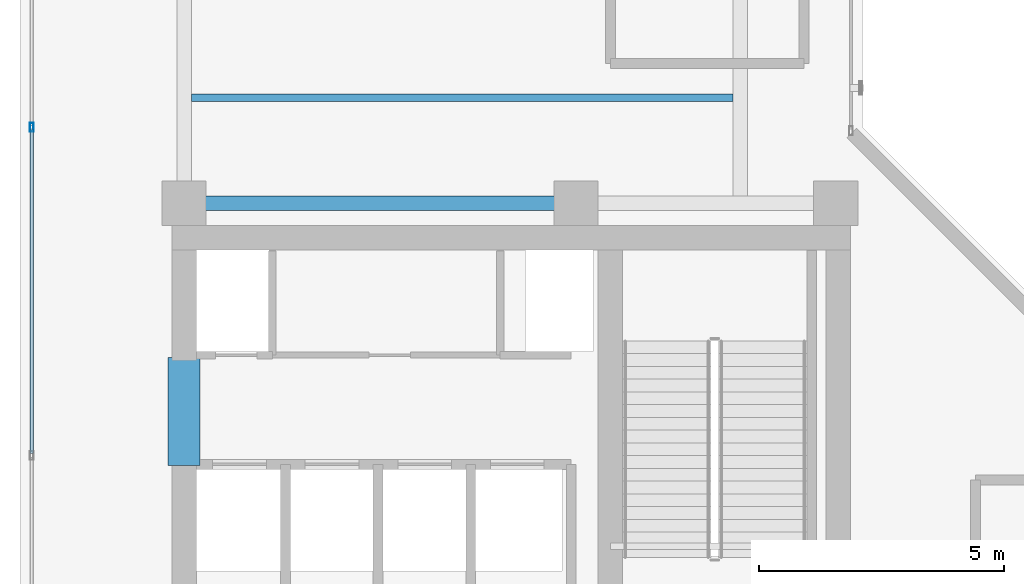
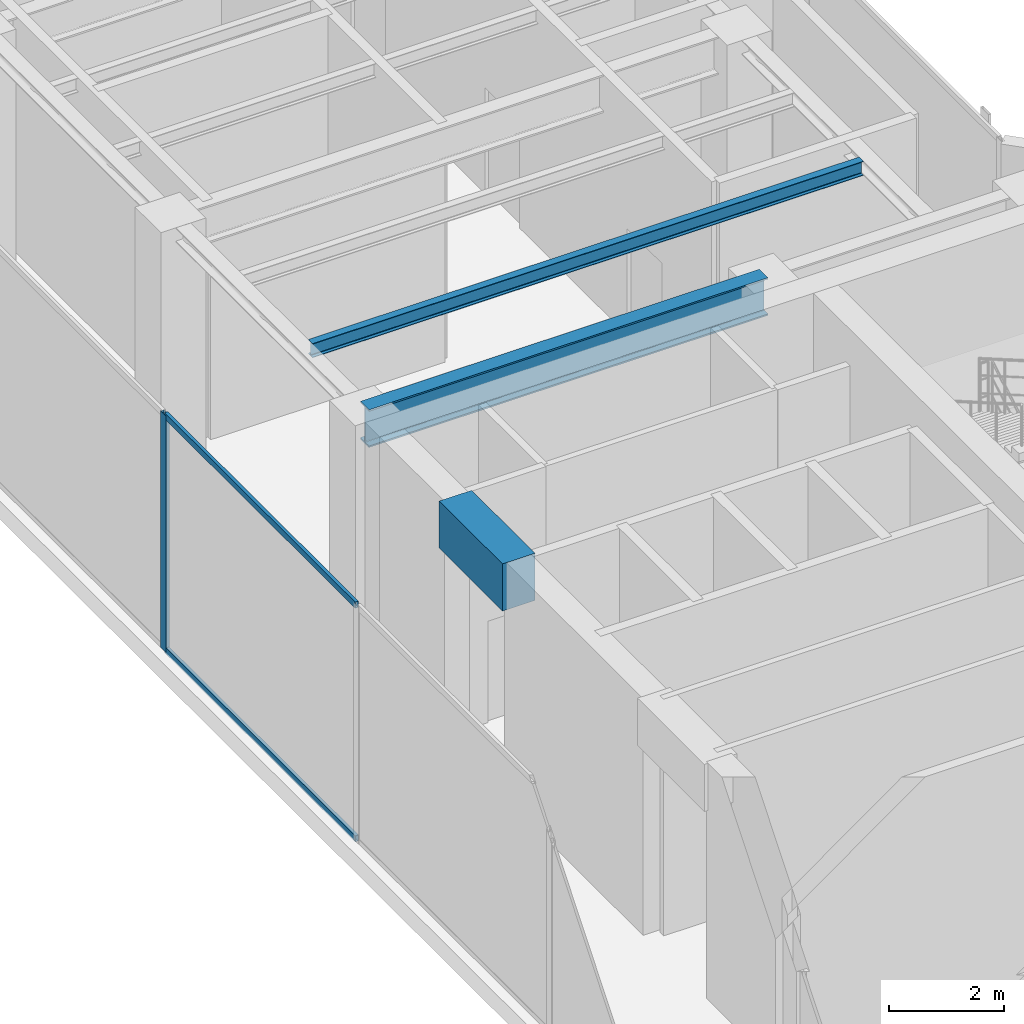
# One storey, part 10 of 29: 3 beams, 3 members, 1 element without a shape of its own.
"""IFC4 building model written with IfcOpenShell, lengths in metres."""

import ifcopenshell
import ifcopenshell.guid

model = None  # the IFC model being written
_history = None  # IfcOwnerHistory: only IFC2X3 demands one
_inside = {}  # id of a spatial element -> (the spatial element, [elements in it])
_under = {}  # id of a project, library or spatial element -> (it, [spatial elements below it])
_declared = {}  # id of a project -> (the project, [libraries it declares])
_typed = {}  # id of a type object -> (the type object, [elements of that type])
_made_of = {}  # id of a material, layer set ... -> (it, [elements and type objects made of it])


def new_model(schema):
    """Start an empty IFC model of exactly this schema.

    Asked for "IFC4X3", IfcOpenShell would pick the latest addendum, in which some entities
    have other attributes; the version numbers below select the first issue.
    IFC2X3 requires an IfcOwnerHistory on every rooted entity: one is made here for all.
    """
    global model, _history
    if schema == "IFC4X3":
        model = ifcopenshell.file(schema_version=(4, 3, 0, 0))
    else:
        model = ifcopenshell.file(schema=schema)
    _inside.clear()
    _under.clear()
    _declared.clear()
    _typed.clear()
    _made_of.clear()
    _history = None
    if model.schema == "IFC2X3":
        org = make("IfcOrganization", Name="unknown")
        user = make(
            "IfcPersonAndOrganization",
            ThePerson=make("IfcPerson", FamilyName="unknown"),
            TheOrganization=org,
        )
        app = make(
            "IfcApplication",
            ApplicationDeveloper=org,
            Version="unknown",
            ApplicationFullName="unknown",
            ApplicationIdentifier="unknown",
        )
        _history = make(
            "IfcOwnerHistory",
            OwningUser=user,
            OwningApplication=app,
            ChangeAction="ADDED",
            CreationDate=0,
        )
    return model


def make(cls, **values):
    """One entity of the class cls with the attributes given. An attribute that is None is left unset."""
    return model.create_entity(
        cls, **{name: value for name, value in values.items() if value is not None}
    )


def rooted(cls, **values):
    """An entity with a GlobalId (a new one), such as an element, a storey or a relation."""
    return make(cls, GlobalId=ifcopenshell.guid.new(), OwnerHistory=_history, **values)


def si_unit(unit_type, name, prefix=None):
    """IfcSIUnit, for example si_unit("LENGTHUNIT", "METRE", prefix="MILLI")."""
    return make("IfcSIUnit", UnitType=unit_type, Prefix=prefix, Name=name)


def assignment(units):
    """IfcUnitAssignment: the units of a project."""
    return None if units is None else make("IfcUnitAssignment", Units=units)


def point(xyz):
    """IfcCartesianPoint."""
    return None if xyz is None else make("IfcCartesianPoint", Coordinates=xyz)


def direction(xyz):
    """IfcDirection."""
    return None if xyz is None else make("IfcDirection", DirectionRatios=xyz)


def frame(location, z_axis=None, x_axis=None):
    """IfcAxis2Placement3D, a coordinate frame: its origin and axes. An axis left out is left unset."""
    return make(
        "IfcAxis2Placement3D",
        Location=point(location),
        Axis=direction(z_axis),
        RefDirection=direction(x_axis),
    )


def frame_2d(location, x_axis=None):
    """IfcAxis2Placement2D, a coordinate frame in the plane: its origin and x axis."""
    return make(
        "IfcAxis2Placement2D", Location=point(location), RefDirection=direction(x_axis)
    )


def origin():
    """The frame at (0, 0, 0) with its axes left unset."""
    return frame((0.0, 0.0, 0.0))


def origin_with_axes():
    """The frame at (0, 0, 0) with the z axis (0, 0, 1) and the x axis (1, 0, 0) written out."""
    return frame((0.0, 0.0, 0.0), z_axis=(0.0, 0.0, 1.0), x_axis=(1.0, 0.0, 0.0))


def origin_2d():
    """The frame at (0, 0) in the plane with its x axis left unset."""
    return frame_2d((0.0, 0.0))


def place(relative_to, where):
    """IfcLocalPlacement: puts the frame where relative to a parent placement (None: the world)."""
    return make(
        "IfcLocalPlacement", PlacementRelTo=relative_to, RelativePlacement=where
    )


def context(
    kind, dimensions, precision=None, world=None, true_north=None, identifier=None
):
    """IfcGeometricRepresentationContext, for example the 3D "Model" context."""
    return make(
        "IfcGeometricRepresentationContext",
        ContextIdentifier=identifier,
        ContextType=kind,
        CoordinateSpaceDimension=dimensions,
        Precision=precision,
        WorldCoordinateSystem=world,
        TrueNorth=true_north,
    )


def subcontext(parent, identifier, kind, view, scale=None):
    """IfcGeometricRepresentationSubContext, for example "Body" below "Model"."""
    return make(
        "IfcGeometricRepresentationSubContext",
        ContextIdentifier=identifier,
        ContextType=kind,
        ParentContext=parent,
        TargetScale=scale,
        TargetView=view,
    )


def project(units=None, contexts=None):
    """IfcProject with its units and contexts."""
    return rooted(
        "IfcProject",
        Name="project",
        RepresentationContexts=contexts,
        UnitsInContext=assignment(units),
    )


def spatial(cls, under=None, at=None, **own):
    """A site, building, storey or space (cls), placed at a placement, below another one or the project."""
    s = rooted(cls, ObjectPlacement=at, **own)
    if under is not None:
        _under.setdefault(under.id(), (under, []))[1].append(s)
    return s


def profile(cls, at=None, kind="AREA", **sizes):
    """A parametric profile (cls). Its sizes go by their IFC names, for example OverallWidth=200.0."""
    return make(cls, ProfileType=kind, Position=at, **sizes)


def rectangle(**sizes):
    """IfcRectangleProfileDef."""
    return profile("IfcRectangleProfileDef", **sizes)


def hollow_rectangle(**sizes):
    """IfcRectangleHollowProfileDef."""
    return profile("IfcRectangleHollowProfileDef", **sizes)


def i_section(**sizes):
    """IfcIShapeProfileDef."""
    return profile("IfcIShapeProfileDef", **sizes)


def extrude(swept, where, along, depth):
    """IfcExtrudedAreaSolid: the profile swept, set in the frame where, extruded along a direction by depth."""
    return make(
        "IfcExtrudedAreaSolid",
        SweptArea=swept,
        Position=where,
        ExtrudedDirection=direction(along),
        Depth=depth,
    )


def shape(context_of_items, identifier, shape_type, items):
    """IfcShapeRepresentation: the items that make up one representation, for example the "Body"."""
    return make(
        "IfcShapeRepresentation",
        ContextOfItems=context_of_items,
        RepresentationIdentifier=identifier,
        RepresentationType=shape_type,
        Items=items,
    )


def source(mapping_origin, context_of_items, identifier, shape_type, items):
    """IfcRepresentationMap: a shape defined once, which mapped items show again and again."""
    return make(
        "IfcRepresentationMap",
        MappingOrigin=mapping_origin,
        MappedRepresentation=shape(context_of_items, identifier, shape_type, items),
    )


def transform(
    local_origin,
    x_axis=None,
    y_axis=None,
    z_axis=None,
    scale=None,
    scale2=None,
    scale3=None,
    uniform=True,
):
    """IfcCartesianTransformationOperator3D, or its non-uniform kind. x_axis, y_axis, z_axis: its Axis1, 2, 3."""
    if uniform:
        return make(
            "IfcCartesianTransformationOperator3D",
            Axis1=direction(x_axis),
            Axis2=direction(y_axis),
            LocalOrigin=point(local_origin),
            Scale=scale,
            Axis3=direction(z_axis),
        )
    return make(
        "IfcCartesianTransformationOperator3DnonUniform",
        Axis1=direction(x_axis),
        Axis2=direction(y_axis),
        LocalOrigin=point(local_origin),
        Scale=scale,
        Axis3=direction(z_axis),
        Scale2=scale2,
        Scale3=scale3,
    )


def mapped(mapping_source, mapping_target):
    """IfcMappedItem: shows the shape of a source again, moved by a transform."""
    return make(
        "IfcMappedItem", MappingSource=mapping_source, MappingTarget=mapping_target
    )


def material(Name=None, Category=None):
    """IfcMaterial."""
    return make("IfcMaterial", Name=Name, Category=Category)


def layer(
    of_material, thickness, ventilated=None, Name=None, Category=None, Priority=None
):
    """IfcMaterialLayer: one layer of a wall or slab, of a material (None: an air gap)."""
    return make(
        "IfcMaterialLayer",
        Material=of_material,
        LayerThickness=thickness,
        IsVentilated=ventilated,
        Name=Name,
        Category=Category,
        Priority=Priority,
    )


def layer_set(layers, Name=None):
    """IfcMaterialLayerSet."""
    return make("IfcMaterialLayerSet", MaterialLayers=layers, LayerSetName=Name)


def material_profile(
    of_material, cross_section, Name=None, Category=None, Priority=None
):
    """IfcMaterialProfile: a cross section and its material."""
    return make(
        "IfcMaterialProfile",
        Name=Name,
        Material=of_material,
        Profile=cross_section,
        Priority=Priority,
        Category=Category,
    )


def profile_set(profiles, Name=None, composite=None):
    """IfcMaterialProfileSet."""
    return make(
        "IfcMaterialProfileSet",
        Name=Name,
        MaterialProfiles=profiles,
        CompositeProfile=composite,
    )


def made_of(thing, what):
    """Note that an element or type object is made of a material, layer set ...; save() writes the relation."""
    if what is not None:
        _made_of.setdefault(what.id(), (what, []))[1].append(thing)
    return thing


def type_object(cls, material=None, **own):
    """A type object (cls), such as IfcWallType, which elements share."""
    return made_of(rooted(cls, **own), material)


def element(
    cls,
    number,
    at=None,
    inside=None,
    cuts=None,
    type_object=None,
    material=None,
    context=None,
    identifier="Body",
    shape_type=None,
    held_by="IfcProductDefinitionShape",
    body=None,
    shapes=None,
    **own,
):
    """One element of the class cls, such as IfcWall. Its Tag is "e" and its number.

    at: its placement. inside: the storey or other place that contains it. cuts: it is an
    opening in that element (IfcRelVoidsElement). A single representation is given by context,
    identifier, shape_type and body (its items); several are given by shapes. held_by: the class
    of the entity that holds the representations. save() writes the other relations.
    """
    e = rooted(cls, Tag="e%d" % number, ObjectPlacement=at, **own)
    if body is not None:
        shapes = [shape(context, identifier, shape_type, body)]
    if shapes is not None:
        e.Representation = make(held_by, Representations=shapes)
    if inside is not None:
        _inside.setdefault(inside.id(), (inside, []))[1].append(e)
    if cuts is not None:
        rooted(
            "IfcRelVoidsElement", RelatingBuildingElement=cuts, RelatedOpeningElement=e
        )
    if type_object is not None:
        _typed.setdefault(type_object.id(), (type_object, []))[1].append(e)
    return made_of(e, material)


def aggregate(whole, parts):
    """IfcRelAggregates: a whole, such as a stair, and the parts it consists of."""
    return rooted("IfcRelAggregates", RelatingObject=whole, RelatedObjects=parts)


def save(model, path):
    """Write the relations noted so far, then the file.

    IfcRelAggregates (storeys below a building ...), IfcRelContainedInSpatialStructure (elements
    in a storey), IfcRelDefinesByType, IfcRelAssociatesMaterial and IfcRelDeclares: one each for
    every whole, place, type object, material and project.
    """
    for whole, parts in _under.values():
        aggregate(whole, parts)
    for where, things in _inside.values():
        rooted(
            "IfcRelContainedInSpatialStructure",
            RelatedElements=things,
            RelatingStructure=where,
        )
    for kind, things in _typed.values():
        rooted("IfcRelDefinesByType", RelatedObjects=things, RelatingType=kind)
    for what, things in _made_of.values():
        rooted("IfcRelAssociatesMaterial", RelatedObjects=things, RelatingMaterial=what)
    for by, libraries in _declared.values():
        rooted("IfcRelDeclares", RelatingContext=by, RelatedDefinitions=libraries)
    model.write(path)


model = new_model("IFC4")

# Units and contexts
model_context = context("Model", 3, precision=1e-05, world=origin(), true_north=direction((0.0, 1.0)))
body_context = subcontext(model_context, "Body", "Model", "MODEL_VIEW")
ifc_project = project(units=[si_unit("LENGTHUNIT", "METRE"), si_unit("AREAUNIT", "SQUARE_METRE"), si_unit("VOLUMEUNIT", "CUBIC_METRE"), si_unit("PLANEANGLEUNIT", "RADIAN"), si_unit("MASSUNIT", "GRAM", prefix="KILO")], contexts=[model_context])

# Site, building, storey
site_placement = place(None, origin())
site = spatial("IfcSite", under=ifc_project, at=site_placement, CompositionType="ELEMENT")
building_placement = place(site_placement, origin())
building = spatial("IfcBuilding", under=site, at=building_placement, Name="Kolvaren Waterfront Exchange", CompositionType="ELEMENT")
storey_placement = place(building_placement, frame((0.0, 0.0, 338.800048828125)))
storey = spatial("IfcBuildingStorey", under=building, at=storey_placement, Name="L87", CompositionType="ELEMENT", Elevation=338.800048828125)

# Beams
ifc_material_1 = material(Name="Steel S355", Category="steel")
ifc_material_profile_1 = material_profile(ifc_material_1, i_section(OverallWidth=0.300048828125, OverallDepth=0.800048828125, WebThickness=0.017578125, FlangeThickness=0.032958984375, FilletRadius=0.030029296875, at=origin_2d()), Name="HEB800")
ifc_profile_set_1 = profile_set([ifc_material_profile_1], Name="Steel S355")
beam_type_1 = type_object("IfcBeamType", Name="STR-BM-HEB800", PredefinedType="BEAM", material=ifc_profile_set_1)
beam_1_placement = place(storey_placement, frame((7.449951171875, 24.449951171875, 4.619873046875), z_axis=(1.0, 0.0, 0.0), x_axis=(0.0, 1.0, 0.0)))
element("IfcBeam", 1, at=beam_1_placement, inside=storey, type_object=beam_type_1, Name="L87 north-arm girder 1A", PredefinedType="BEAM", context=body_context, shape_type="SweptSolid", body=[
    extrude(i_section(OverallWidth=0.300048828125, OverallDepth=0.800048828125, WebThickness=0.017578125, FlangeThickness=0.032958984375, FilletRadius=0.030029296875, at=origin_2d()), origin(), (0.0, 0.0, 1.0), 8.0),
])
ifc_material_profile_2 = material_profile(ifc_material_1, i_section(OverallWidth=0.14990234375, OverallDepth=0.300048828125, WebThickness=0.007080078125, FlangeThickness=0.0107421875, FilletRadius=0.014892578125, at=origin_2d()), Name="IPE300")
ifc_profile_set_2 = profile_set([ifc_material_profile_2], Name="Steel S355")
beam_type_2 = type_object("IfcBeamType", Name="STR-BM-IPE300", PredefinedType="JOIST", material=ifc_profile_set_2)
beam_2_placement = place(storey_placement, frame((7.60205078125, 26.60009765625, 4.869873046875), z_axis=(1.0, 0.0, 0.0), x_axis=(0.0, 1.0, 0.0)))
element("IfcBeam", 2, at=beam_2_placement, inside=storey, type_object=beam_type_2, Name="L87 north-arm composite joist 1", PredefinedType="JOIST", context=body_context, shape_type="SweptSolid", body=[
    extrude(i_section(OverallWidth=0.14990234375, OverallDepth=0.300048828125, WebThickness=0.007080078125, FlangeThickness=0.0107421875, FilletRadius=0.014892578125, at=origin_2d()), origin(), (0.0, 0.0, 1.0), 11.0458984375),
])
ifc_material_2 = material(Name="Concrete C60/75", Category="concrete")
ifc_material_profile_3 = material_profile(ifc_material_2, rectangle(XDim=0.64990234375, YDim=1.0, at=origin_2d()), Name="RC-CB-1000x650")
ifc_profile_set_3 = profile_set([ifc_material_profile_3], Name="Concrete C60/75")
beam_type_3 = type_object("IfcBeamType", Name="STR-CB-1000", PredefinedType="SPANDREL", material=ifc_profile_set_3)
beam_3_placement = place(storey_placement, frame((7.449951171875, 19.10009765625, 4.52001953125), z_axis=(0.0, 1.0, 0.0), x_axis=(-1.0, 0.0, 0.0)))
element("IfcBeam", 3, at=beam_3_placement, inside=storey, type_object=beam_type_3, Name="L87 core coupling beam 5", PredefinedType="SPANDREL", context=body_context, shape_type="SweptSolid", body=[
    extrude(rectangle(XDim=0.64990234375, YDim=1.0, at=origin_2d()), origin(), (0.0, 0.0, 1.0), 2.199951171875),
])

# Curtain wall, members
ifc_material_3 = material(Name="Anodised dark bronze spandrel aluminium", Category="aluminium")
ifc_layer = layer(ifc_material_3, 0.219970703125, Name="Anodised dark bronze spandrel aluminium")
ifc_layer_set = layer_set([ifc_layer], Name="Anodised dark bronze spandrel aluminium")
curtain_wall_type = type_object("IfcCurtainWallType", Name="ARC-CW-SYS6", PredefinedType="USERDEFINED", material=ifc_layer_set)
curtain_wall_placement = place(storey_placement, origin())
curtain_wall = element("IfcCurtainWall", 4, at=curtain_wall_placement, inside=storey, type_object=curtain_wall_type, Name="L87 stick curtain wall CW6 (CW-L87-W)", ObjectType="STICK CURTAIN WALL", PredefinedType="USERDEFINED")
ifc_material_4 = material(Name="Anodised bronze aluminium 6063-T6", Category="aluminium")
ifc_material_profile_4 = material_profile(ifc_material_4, hollow_rectangle(XDim=0.074951171875, YDim=0.179931640625, WallThickness=0.00439453125, at=origin_2d()), Name="ALU-MUL-180x75x4.5")
ifc_profile_set_4 = profile_set([ifc_material_profile_4], Name="Anodised bronze aluminium 6063-T6")
member_type_1 = type_object("IfcMemberType", Name="ARC-CWM-180", PredefinedType="MULLION", material=ifc_profile_set_4)
shared_shape_1 = source(origin_with_axes(), body_context, "Body", "SweptSolid", [
    extrude(hollow_rectangle(XDim=0.074951171875, YDim=0.179931640625, WallThickness=0.00439453125, at=origin_2d()), origin(), (0.0, 0.0, 1.0), 5.02001953125),
])
member_1_placement = place(storey_placement, frame((4.340087890625, 26.0, 0.0), z_axis=(0.0, 0.0, 1.0), x_axis=(-1.0, 0.0, 0.0)))
member_1 = element("IfcMember", 5, at=member_1_placement, type_object=member_type_1, Name="CW6 mullion 4", PredefinedType="MULLION", context=body_context, shape_type="MappedRepresentation", body=[
    mapped(shared_shape_1, transform((0.0, 0.0, 0.0), x_axis=(1.0, 0.0, 0.0), y_axis=(0.0, 1.0, 0.0), z_axis=(0.0, 0.0, 1.0), scale=1.0)),
])
ifc_material_profile_5 = material_profile(ifc_material_4, hollow_rectangle(XDim=0.06494140625, YDim=0.1298828125, WallThickness=0.00390625, at=origin_2d()), Name="ALU-TRN-130x65x4")
ifc_profile_set_5 = profile_set([ifc_material_profile_5], Name="Anodised bronze aluminium 6063-T6")
member_type_2 = type_object("IfcMemberType", Name="ARC-CWT-130", PredefinedType="USERDEFINED", material=ifc_profile_set_5)
shared_shape_2 = source(origin_with_axes(), body_context, "Body", "SweptSolid", [
    extrude(hollow_rectangle(XDim=0.06494140625, YDim=0.1298828125, WallThickness=0.00390625, at=origin_2d()), origin(), (0.0, 0.0, 1.0), 6.625),
])
member_2_placement = place(storey_placement, frame((4.340087890625, 19.33740234375, 0.032470703125), z_axis=(0.0, 1.0, 0.0), x_axis=(-1.0, 0.0, 0.0)))
member_2 = element("IfcMember", 6, at=member_2_placement, type_object=member_type_2, Name="CW6 transom 3.1", ObjectType="TRANSOM", PredefinedType="USERDEFINED", context=body_context, shape_type="MappedRepresentation", body=[
    mapped(shared_shape_2, transform((0.0, 0.0, 0.0), x_axis=(1.0, 0.0, 0.0), y_axis=(0.0, 1.0, 0.0), z_axis=(0.0, 0.0, 1.0), scale=1.0)),
])
member_3_placement = place(storey_placement, frame((4.340087890625, 19.33740234375, 4.987548828125), z_axis=(0.0, 1.0, 0.0), x_axis=(-1.0, 0.0, 0.0)))
member_3 = element("IfcMember", 7, at=member_3_placement, type_object=member_type_2, Name="CW6 transom 3.2", ObjectType="TRANSOM", PredefinedType="USERDEFINED", context=body_context, shape_type="MappedRepresentation", body=[
    mapped(shared_shape_2, transform((0.0, 0.0, 0.0), x_axis=(1.0, 0.0, 0.0), y_axis=(0.0, 1.0, 0.0), z_axis=(0.0, 0.0, 1.0), scale=1.0)),
])
aggregate(curtain_wall, [member_1, member_2, member_3])

save(model, "model.ifc")
